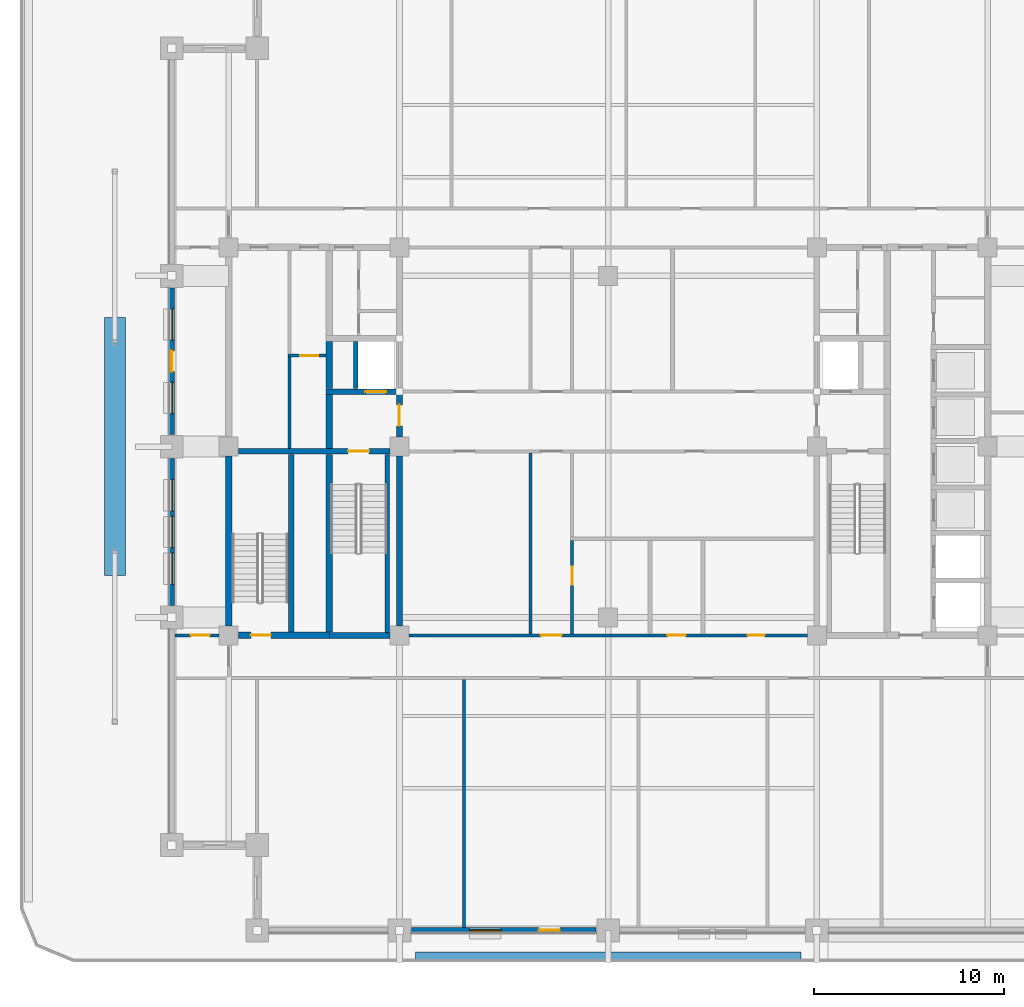
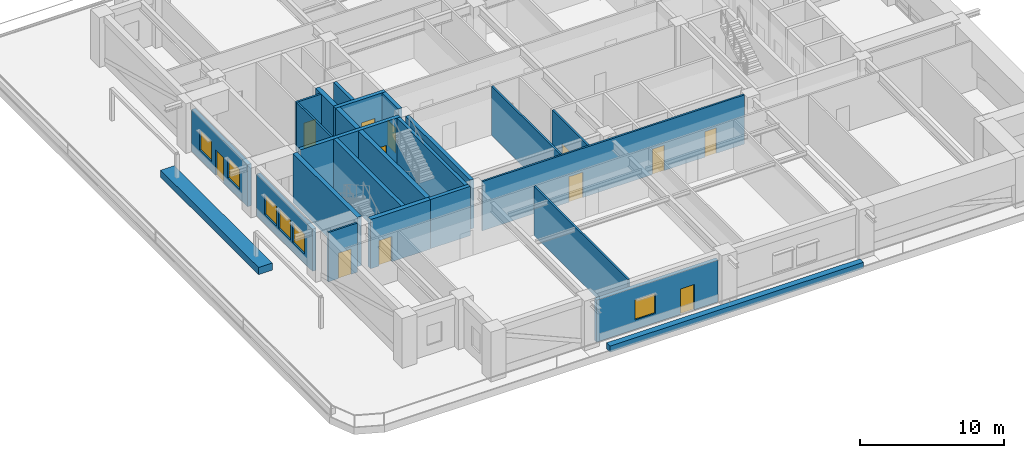
# One storey, part 8 of 21: 25 walls, 12 doors, 6 windows, 18 openings.
"""IFC4 building model written with IfcOpenShell, lengths in metres."""

import ifcopenshell
import ifcopenshell.guid

model = None  # the IFC model being written
_history = None  # IfcOwnerHistory: only IFC2X3 demands one
_inside = {}  # id of a spatial element -> (the spatial element, [elements in it])
_under = {}  # id of a project, library or spatial element -> (it, [spatial elements below it])
_declared = {}  # id of a project -> (the project, [libraries it declares])
_typed = {}  # id of a type object -> (the type object, [elements of that type])
_made_of = {}  # id of a material, layer set ... -> (it, [elements and type objects made of it])


def new_model(schema):
    """Start an empty IFC model of exactly this schema.

    Asked for "IFC4X3", IfcOpenShell would pick the latest addendum, in which some entities
    have other attributes; the version numbers below select the first issue.
    IFC2X3 requires an IfcOwnerHistory on every rooted entity: one is made here for all.
    """
    global model, _history
    if schema == "IFC4X3":
        model = ifcopenshell.file(schema_version=(4, 3, 0, 0))
    else:
        model = ifcopenshell.file(schema=schema)
    _inside.clear()
    _under.clear()
    _declared.clear()
    _typed.clear()
    _made_of.clear()
    _history = None
    if model.schema == "IFC2X3":
        org = make("IfcOrganization", Name="unknown")
        user = make(
            "IfcPersonAndOrganization",
            ThePerson=make("IfcPerson", FamilyName="unknown"),
            TheOrganization=org,
        )
        app = make(
            "IfcApplication",
            ApplicationDeveloper=org,
            Version="unknown",
            ApplicationFullName="unknown",
            ApplicationIdentifier="unknown",
        )
        _history = make(
            "IfcOwnerHistory",
            OwningUser=user,
            OwningApplication=app,
            ChangeAction="ADDED",
            CreationDate=0,
        )
    return model


def make(cls, **values):
    """One entity of the class cls with the attributes given. An attribute that is None is left unset."""
    return model.create_entity(
        cls, **{name: value for name, value in values.items() if value is not None}
    )


def rooted(cls, **values):
    """An entity with a GlobalId (a new one), such as an element, a storey or a relation."""
    return make(cls, GlobalId=ifcopenshell.guid.new(), OwnerHistory=_history, **values)


def si_unit(unit_type, name, prefix=None):
    """IfcSIUnit, for example si_unit("LENGTHUNIT", "METRE", prefix="MILLI")."""
    return make("IfcSIUnit", UnitType=unit_type, Prefix=prefix, Name=name)


def assignment(units):
    """IfcUnitAssignment: the units of a project."""
    return None if units is None else make("IfcUnitAssignment", Units=units)


def point(xyz):
    """IfcCartesianPoint."""
    return None if xyz is None else make("IfcCartesianPoint", Coordinates=xyz)


def direction(xyz):
    """IfcDirection."""
    return None if xyz is None else make("IfcDirection", DirectionRatios=xyz)


def frame(location, z_axis=None, x_axis=None):
    """IfcAxis2Placement3D, a coordinate frame: its origin and axes. An axis left out is left unset."""
    return make(
        "IfcAxis2Placement3D",
        Location=point(location),
        Axis=direction(z_axis),
        RefDirection=direction(x_axis),
    )


def frame_2d(location, x_axis=None):
    """IfcAxis2Placement2D, a coordinate frame in the plane: its origin and x axis."""
    return make(
        "IfcAxis2Placement2D", Location=point(location), RefDirection=direction(x_axis)
    )


def origin():
    """The frame at (0, 0, 0) with its axes left unset."""
    return frame((0.0, 0.0, 0.0))


def place(relative_to, where):
    """IfcLocalPlacement: puts the frame where relative to a parent placement (None: the world)."""
    return make(
        "IfcLocalPlacement", PlacementRelTo=relative_to, RelativePlacement=where
    )


def context(
    kind, dimensions, precision=None, world=None, true_north=None, identifier=None
):
    """IfcGeometricRepresentationContext, for example the 3D "Model" context."""
    return make(
        "IfcGeometricRepresentationContext",
        ContextIdentifier=identifier,
        ContextType=kind,
        CoordinateSpaceDimension=dimensions,
        Precision=precision,
        WorldCoordinateSystem=world,
        TrueNorth=true_north,
    )


def subcontext(parent, identifier, kind, view, scale=None):
    """IfcGeometricRepresentationSubContext, for example "Body" below "Model"."""
    return make(
        "IfcGeometricRepresentationSubContext",
        ContextIdentifier=identifier,
        ContextType=kind,
        ParentContext=parent,
        TargetScale=scale,
        TargetView=view,
    )


def project(units=None, contexts=None):
    """IfcProject with its units and contexts."""
    return rooted(
        "IfcProject",
        Name="project",
        RepresentationContexts=contexts,
        UnitsInContext=assignment(units),
    )


def spatial(cls, under=None, at=None, **own):
    """A site, building, storey or space (cls), placed at a placement, below another one or the project."""
    s = rooted(cls, ObjectPlacement=at, **own)
    if under is not None:
        _under.setdefault(under.id(), (under, []))[1].append(s)
    return s


def profile(cls, at=None, kind="AREA", **sizes):
    """A parametric profile (cls). Its sizes go by their IFC names, for example OverallWidth=200.0."""
    return make(cls, ProfileType=kind, Position=at, **sizes)


def rectangle(**sizes):
    """IfcRectangleProfileDef."""
    return profile("IfcRectangleProfileDef", **sizes)


def extrude(swept, where, along, depth):
    """IfcExtrudedAreaSolid: the profile swept, set in the frame where, extruded along a direction by depth."""
    return make(
        "IfcExtrudedAreaSolid",
        SweptArea=swept,
        Position=where,
        ExtrudedDirection=direction(along),
        Depth=depth,
    )


def shape(context_of_items, identifier, shape_type, items):
    """IfcShapeRepresentation: the items that make up one representation, for example the "Body"."""
    return make(
        "IfcShapeRepresentation",
        ContextOfItems=context_of_items,
        RepresentationIdentifier=identifier,
        RepresentationType=shape_type,
        Items=items,
    )


def material(Name=None, Category=None):
    """IfcMaterial."""
    return make("IfcMaterial", Name=Name, Category=Category)


def layer(
    of_material, thickness, ventilated=None, Name=None, Category=None, Priority=None
):
    """IfcMaterialLayer: one layer of a wall or slab, of a material (None: an air gap)."""
    return make(
        "IfcMaterialLayer",
        Material=of_material,
        LayerThickness=thickness,
        IsVentilated=ventilated,
        Name=Name,
        Category=Category,
        Priority=Priority,
    )


def layer_set(layers, Name=None):
    """IfcMaterialLayerSet."""
    return make("IfcMaterialLayerSet", MaterialLayers=layers, LayerSetName=Name)


def made_of(thing, what):
    """Note that an element or type object is made of a material, layer set ...; save() writes the relation."""
    if what is not None:
        _made_of.setdefault(what.id(), (what, []))[1].append(thing)
    return thing


def type_object(cls, material=None, **own):
    """A type object (cls), such as IfcWallType, which elements share."""
    return made_of(rooted(cls, **own), material)


def element(
    cls,
    number,
    at=None,
    inside=None,
    cuts=None,
    type_object=None,
    material=None,
    context=None,
    identifier="Body",
    shape_type=None,
    held_by="IfcProductDefinitionShape",
    body=None,
    shapes=None,
    **own,
):
    """One element of the class cls, such as IfcWall. Its Tag is "e" and its number.

    at: its placement. inside: the storey or other place that contains it. cuts: it is an
    opening in that element (IfcRelVoidsElement). A single representation is given by context,
    identifier, shape_type and body (its items); several are given by shapes. held_by: the class
    of the entity that holds the representations. save() writes the other relations.
    """
    e = rooted(cls, Tag="e%d" % number, ObjectPlacement=at, **own)
    if body is not None:
        shapes = [shape(context, identifier, shape_type, body)]
    if shapes is not None:
        e.Representation = make(held_by, Representations=shapes)
    if inside is not None:
        _inside.setdefault(inside.id(), (inside, []))[1].append(e)
    if cuts is not None:
        rooted(
            "IfcRelVoidsElement", RelatingBuildingElement=cuts, RelatedOpeningElement=e
        )
    if type_object is not None:
        _typed.setdefault(type_object.id(), (type_object, []))[1].append(e)
    return made_of(e, material)


def fill(opening, filler):
    """IfcRelFillsElement: the door or window that sits in an opening."""
    return rooted(
        "IfcRelFillsElement",
        RelatingOpeningElement=opening,
        RelatedBuildingElement=filler,
    )


def aggregate(whole, parts):
    """IfcRelAggregates: a whole, such as a stair, and the parts it consists of."""
    return rooted("IfcRelAggregates", RelatingObject=whole, RelatedObjects=parts)


def save(model, path):
    """Write the relations noted so far, then the file.

    IfcRelAggregates (storeys below a building ...), IfcRelContainedInSpatialStructure (elements
    in a storey), IfcRelDefinesByType, IfcRelAssociatesMaterial and IfcRelDeclares: one each for
    every whole, place, type object, material and project.
    """
    for whole, parts in _under.values():
        aggregate(whole, parts)
    for where, things in _inside.values():
        rooted(
            "IfcRelContainedInSpatialStructure",
            RelatedElements=things,
            RelatingStructure=where,
        )
    for kind, things in _typed.values():
        rooted("IfcRelDefinesByType", RelatedObjects=things, RelatingType=kind)
    for what, things in _made_of.values():
        rooted("IfcRelAssociatesMaterial", RelatedObjects=things, RelatingMaterial=what)
    for by, libraries in _declared.values():
        rooted("IfcRelDeclares", RelatingContext=by, RelatedDefinitions=libraries)
    model.write(path)


model = new_model("IFC4")

# Units and contexts
model_context = context("Model", 3, precision=1e-05, world=origin(), true_north=direction((0.0, 1.0)))
body_context = subcontext(model_context, "Body", "Model", "MODEL_VIEW")
ifc_project = project(units=[si_unit("LENGTHUNIT", "METRE"), si_unit("AREAUNIT", "SQUARE_METRE"), si_unit("VOLUMEUNIT", "CUBIC_METRE"), si_unit("PLANEANGLEUNIT", "RADIAN"), si_unit("MASSUNIT", "GRAM", prefix="KILO")], contexts=[model_context])

# Site, building, storey
site_placement = place(None, origin())
site = spatial("IfcSite", under=ifc_project, at=site_placement, CompositionType="ELEMENT")
building_placement = place(site_placement, origin())
building = spatial("IfcBuilding", under=site, at=building_placement, Name="Zulmaris Gate Convention Tower", CompositionType="ELEMENT")
storey_placement = place(building_placement, frame((0.0, 0.0, 86.93994140625)))
storey = spatial("IfcBuildingStorey", under=building, at=storey_placement, Name="L21", CompositionType="ELEMENT", Elevation=86.93994140625)

# Walls
ifc_material_1 = material(Name="Concrete C50/60", Category="concrete")
ifc_layer_1 = layer(ifc_material_1, 0.25, Name="Concrete C50/60")
ifc_layer_set_1 = layer_set([ifc_layer_1], Name="Concrete C50/60")
wall_type_1 = type_object("IfcWallType", Name="CORE-250", PredefinedType="SOLIDWALL", material=ifc_layer_set_1)
wall_1_placement = place(storey_placement, frame((-13.300048828125, 3.052001953125, 0.0), z_axis=(0.0, 0.0, 1.0), x_axis=(0.0, 1.0, 0.0)))
element("IfcWall", 1, at=wall_1_placement, inside=storey, type_object=wall_type_1, Name="WL-L21-044", PredefinedType="SOLIDWALL", context=body_context, shape_type="SweptSolid", body=[
    extrude(rectangle(XDim=2.49609375, YDim=0.25, at=frame_2d((1.248046875, 0.0))), origin(), (0.0, 0.0, 1.0), 4.169921875),
])
wall_2_placement = place(storey_placement, frame((-11.64990234375, -9.798095703125, 0.0), z_axis=(0.0, 0.0, 1.0), x_axis=(0.0, 1.0, 0.0)))
element("IfcWall", 2, at=wall_2_placement, inside=storey, type_object=wall_type_1, Name="WL-L21-045", PredefinedType="SOLIDWALL", context=body_context, shape_type="SweptSolid", body=[
    extrude(rectangle(XDim=9.39599609375, YDim=0.25, at=frame_2d((4.697998046875, 0.0))), origin(), (0.0, 0.0, 1.0), 4.169921875),
])
ifc_layer_2 = layer(ifc_material_1, 0.300048828125, Name="Concrete C50/60")
ifc_layer_set_2 = layer_set([ifc_layer_2], Name="Concrete C50/60")
wall_type_2 = type_object("IfcWallType", Name="CORE-300", PredefinedType="SHEAR", material=ifc_layer_set_2)
wall_3_placement = place(storey_placement, frame((-14.699951171875, -9.949951171875, 0.0), z_axis=(0.0, 0.0, 1.0), x_axis=(1.0, 0.0, 0.0)))
element("IfcWall", 3, at=wall_3_placement, inside=storey, type_object=wall_type_2, Name="WL-L21-002", PredefinedType="SHEAR", context=body_context, shape_type="SweptSolid", body=[
    extrude(rectangle(XDim=3.196044921875, YDim=0.300048828125, at=frame_2d((1.59814453125, 0.0))), origin(), (0.0, 0.0, 1.0), 4.169921875),
])

# Wall, opening, door
wall_4_placement = place(storey_placement, frame((-19.49609375, -0.25, 0.0), z_axis=(0.0, 0.0, 1.0), x_axis=(1.0, 0.0, 0.0)))
wall_4 = element("IfcWall", 4, at=wall_4_placement, inside=storey, type_object=wall_type_2, Name="WL-L21-008", PredefinedType="SHEAR", context=body_context, shape_type="SweptSolid", body=[
    extrude(rectangle(XDim=7.9921875, YDim=0.300048828125, at=frame_2d((3.99609375, 0.0))), origin(), (0.0, 0.0, 1.0), 4.169921875),
])
opening_1_placement = place(wall_4_placement, frame((5.7958984375, 0.0, 0.0)))
opening_1 = element("IfcOpeningElement", 5, at=opening_1_placement, cuts=wall_4, Name="Opening D-08", PredefinedType="OPENING", context=body_context, shape_type="SweptSolid", body=[
    extrude(rectangle(XDim=1.10009765625, YDim=2.14990234375, at=frame_2d((0.550048828125, 1.074951171875))), frame((0.0, 0.16015625, 0.0), z_axis=(0.0, -1.0, 0.0), x_axis=(1.0, 0.0, 0.0)), (0.0, 0.0, 1.0), 0.320068359375),
])
ifc_material_2 = material(Name="Fire-Rated Steel", Category="steel")
door_type_1 = type_object("IfcDoorType", Name="DR-1100-FD", OperationType="NOTDEFINED", PredefinedType="DOOR", material=ifc_material_2)
door_1_placement = place(opening_1_placement, origin())
door_1 = element("IfcDoor", 6, at=door_1_placement, inside=storey, type_object=door_type_1, Name="L21 Exit Stair ST-1 Door 01", OperationType="SINGLE_SWING_LEFT", OverallHeight=2.14990234375, OverallWidth=1.10009765625, PredefinedType="DOOR", context=body_context, shape_type="SweptSolid", body=[
    extrude(rectangle(XDim=1.10009765625, YDim=2.14990234375, at=frame_2d((0.550048828125, 1.074951171875))), frame((0.0, 0.02490234375, 0.0), z_axis=(0.0, -1.0, 0.0), x_axis=(1.0, 0.0, 0.0)), (0.0, 0.0, 1.0), 0.050048828125),
])
fill(opening_1, door_1)

wall_5_placement = place(storey_placement, frame((-14.875, 2.89990234375, 0.0), z_axis=(0.0, 0.0, 1.0), x_axis=(1.0, 0.0, 0.0)))
wall_5 = element("IfcWall", 7, at=wall_5_placement, inside=storey, type_object=wall_type_2, Name="WL-L21-012", PredefinedType="SHEAR", context=body_context, shape_type="SweptSolid", body=[
    extrude(rectangle(XDim=4.02490234375, YDim=0.300048828125, at=frame_2d((2.012451171875, 0.0))), origin(), (0.0, 0.0, 1.0), 4.169921875),
])
opening_2_placement = place(wall_5_placement, frame((2.074951171875, 0.0, 0.0)))
opening_2 = element("IfcOpeningElement", 8, at=opening_2_placement, cuts=wall_5, Name="Opening D-06", PredefinedType="OPENING", context=body_context, shape_type="SweptSolid", body=[
    extrude(rectangle(XDim=1.10009765625, YDim=2.199951171875, at=frame_2d((0.550048828125, 1.10009765625))), frame((0.0, 0.16015625, 0.0), z_axis=(0.0, -1.0, 0.0), x_axis=(1.0, 0.0, 0.0)), (0.0, 0.0, 1.0), 0.320068359375),
])
ifc_material_3 = material(Name="Brushed Stainless Steel", Category="steel")
door_type_2 = type_object("IfcDoorType", Name="LD-1100", OperationType="NOTDEFINED", PredefinedType="DOOR", material=ifc_material_3)
door_2_placement = place(opening_2_placement, origin())
door_2 = element("IfcDoor", 9, at=door_2_placement, inside=storey, type_object=door_type_2, Name="L21 Lift Landing Door LF-01 03", OperationType="SLIDING_TO_LEFT", OverallHeight=2.199951171875, OverallWidth=1.10009765625, PredefinedType="DOOR", context=body_context, shape_type="SweptSolid", body=[
    extrude(rectangle(XDim=1.10009765625, YDim=2.199951171875, at=frame_2d((0.550048828125, 1.10009765625))), frame((0.0, 0.02490234375, 0.0), z_axis=(0.0, -1.0, 0.0), x_axis=(1.0, 0.0, 0.0)), (0.0, 0.0, 1.0), 0.050048828125),
])
fill(opening_2, door_2)

# Walls
wall_6_placement = place(storey_placement, frame((-16.699951171875, -9.77294921875, 0.0), z_axis=(0.0, 0.0, 1.0), x_axis=(0.0, 1.0, 0.0)))
element("IfcWall", 10, at=wall_6_placement, inside=storey, type_object=wall_type_2, Name="WL-L21-039", PredefinedType="SHEAR", context=body_context, shape_type="SweptSolid", body=[
    extrude(rectangle(XDim=9.370849609375, YDim=0.300048828125, at=frame_2d((4.685546875, 0.0))), origin(), (0.0, 0.0, 1.0), 4.169921875),
])
wall_7_placement = place(storey_placement, frame((-11.0, -9.446044921875, 0.0), z_axis=(0.0, 0.0, 1.0), x_axis=(0.0, 1.0, 0.0)))
element("IfcWall", 11, at=wall_7_placement, inside=storey, type_object=wall_type_2, Name="WL-L21-046", PredefinedType="SHEAR", context=body_context, shape_type="SweptSolid", body=[
    extrude(rectangle(XDim=8.942138671875, YDim=0.300048828125, at=frame_2d((4.47119140625, 0.0))), origin(), (0.0, 0.0, 1.0), 4.169921875),
])

# Wall, opening, door
wall_8_placement = place(storey_placement, frame((-11.0, 0.50390625, 0.0), z_axis=(0.0, 0.0, 1.0), x_axis=(0.0, 1.0, 0.0)))
wall_8 = element("IfcWall", 12, at=wall_8_placement, inside=storey, type_object=wall_type_2, Name="WL-L21-047", PredefinedType="SHEAR", context=body_context, shape_type="SweptSolid", body=[
    extrude(rectangle(XDim=2.244140625, YDim=0.300048828125, at=frame_2d((1.1220703125, 0.0))), origin(), (0.0, 0.0, 1.0), 4.169921875),
])
opening_3_placement = place(wall_8_placement, frame((0.595947265625, 0.0, 0.0)))
opening_3 = element("IfcOpeningElement", 13, at=opening_3_placement, cuts=wall_8, Name="Opening D-08", PredefinedType="OPENING", context=body_context, shape_type="SweptSolid", body=[
    extrude(rectangle(XDim=1.10009765625, YDim=2.14990234375, at=frame_2d((0.550048828125, 1.074951171875))), frame((0.0, 0.16015625, 0.0), z_axis=(0.0, -1.0, 0.0), x_axis=(1.0, 0.0, 0.0)), (0.0, 0.0, 1.0), 0.320068359375),
])
door_3_placement = place(opening_3_placement, origin())
door_3 = element("IfcDoor", 14, at=door_3_placement, inside=storey, type_object=door_type_1, Name="L21 West Firefighting Lobby Door 02", OperationType="SINGLE_SWING_RIGHT", OverallHeight=2.14990234375, OverallWidth=1.10009765625, PredefinedType="DOOR", context=body_context, shape_type="SweptSolid", body=[
    extrude(rectangle(XDim=1.10009765625, YDim=2.14990234375, at=frame_2d((0.550048828125, 1.074951171875))), frame((0.0, 0.02490234375, 0.0), z_axis=(0.0, -1.0, 0.0), x_axis=(1.0, 0.0, 0.0)), (0.0, 0.0, 1.0), 0.050048828125),
])
fill(opening_3, door_3)

ifc_material_4 = material(Name="Concrete C55/67", Category="concrete")
ifc_layer_3 = layer(ifc_material_4, 0.35009765625, Name="Concrete C55/67")
ifc_layer_set_3 = layer_set([ifc_layer_3], Name="Concrete C55/67")
wall_type_3 = type_object("IfcWallType", Name="CORE-350", PredefinedType="SHEAR", material=ifc_layer_set_3)
wall_9_placement = place(storey_placement, frame((-19.49609375, -9.949951171875, 0.0), z_axis=(0.0, 0.0, 1.0), x_axis=(1.0, 0.0, 0.0)))
wall_9 = element("IfcWall", 15, at=wall_9_placement, inside=storey, type_object=wall_type_3, Name="WL-L21-001", PredefinedType="SHEAR", context=body_context, shape_type="SweptSolid", body=[
    extrude(rectangle(XDim=4.796142578125, YDim=0.35009765625, at=frame_2d((2.39794921875, 0.0))), origin(), (0.0, 0.0, 1.0), 4.169921875),
])
opening_4_placement = place(wall_9_placement, frame((0.6708984375, 0.0, 0.0)))
opening_4 = element("IfcOpeningElement", 16, at=opening_4_placement, cuts=wall_9, Name="Opening D-09", PredefinedType="OPENING", context=body_context, shape_type="SweptSolid", body=[
    extrude(rectangle(XDim=1.050048828125, YDim=2.14990234375, at=frame_2d((0.52490234375, 1.074951171875))), frame((0.0, 0.18505859375, 0.0), z_axis=(0.0, -1.0, 0.0), x_axis=(1.0, 0.0, 0.0)), (0.0, 0.0, 1.0), 0.3701171875),
])
door_type_3 = type_object("IfcDoorType", Name="DR-1050-FD", OperationType="NOTDEFINED", PredefinedType="DOOR", material=ifc_material_2)
door_4_placement = place(opening_4_placement, origin())
door_4 = element("IfcDoor", 17, at=door_4_placement, inside=storey, type_object=door_type_3, Name="L21 Exit Stair ST-3 Door 13", OperationType="SINGLE_SWING_LEFT", OverallHeight=2.14990234375, OverallWidth=1.050048828125, PredefinedType="DOOR", context=body_context, shape_type="SweptSolid", body=[
    extrude(rectangle(XDim=1.050048828125, YDim=2.14990234375, at=frame_2d((0.52490234375, 1.074951171875))), frame((0.0, 0.02490234375, 0.0), z_axis=(0.0, -1.0, 0.0), x_axis=(1.0, 0.0, 0.0)), (0.0, 0.0, 1.0), 0.050048828125),
])
fill(opening_4, door_4)

# Walls
wall_10_placement = place(storey_placement, frame((-20.0, -9.446044921875, 0.0), z_axis=(0.0, 0.0, 1.0), x_axis=(0.0, 1.0, 0.0)))
element("IfcWall", 18, at=wall_10_placement, inside=storey, type_object=wall_type_3, Name="WL-L21-037", PredefinedType="SHEAR", context=body_context, shape_type="SweptSolid", body=[
    extrude(rectangle(XDim=8.942138671875, YDim=0.35009765625, at=frame_2d((4.47119140625, 0.0))), origin(), (0.0, 0.0, 1.0), 4.169921875),
])
wall_11_placement = place(storey_placement, frame((-14.699951171875, -9.77294921875, 0.0), z_axis=(0.0, 0.0, 1.0), x_axis=(0.0, 1.0, 0.0)))
element("IfcWall", 19, at=wall_11_placement, inside=storey, type_object=wall_type_3, Name="WL-L21-040", PredefinedType="SHEAR", context=body_context, shape_type="SweptSolid", body=[
    extrude(rectangle(XDim=9.370849609375, YDim=0.35009765625, at=frame_2d((4.685546875, 0.0))), origin(), (0.0, 0.0, 1.0), 4.169921875),
])
wall_12_placement = place(storey_placement, frame((-14.699951171875, -0.097900390625, 0.0), z_axis=(0.0, 0.0, 1.0), x_axis=(0.0, 1.0, 0.0)))
element("IfcWall", 20, at=wall_12_placement, inside=storey, type_object=wall_type_3, Name="WL-L21-041", PredefinedType="SHEAR", context=body_context, shape_type="SweptSolid", body=[
    extrude(rectangle(XDim=2.845947265625, YDim=0.35009765625, at=frame_2d((1.4228515625, 0.0))), origin(), (0.0, 0.0, 1.0), 4.169921875),
])
wall_13_placement = place(storey_placement, frame((-14.699951171875, 3.052001953125, 0.0), z_axis=(0.0, 0.0, 1.0), x_axis=(0.0, 1.0, 0.0)))
element("IfcWall", 21, at=wall_13_placement, inside=storey, type_object=wall_type_3, Name="WL-L21-042", PredefinedType="SHEAR", context=body_context, shape_type="SweptSolid", body=[
    extrude(rectangle(XDim=2.49609375, YDim=0.35009765625, at=frame_2d((1.248046875, 0.0))), origin(), (0.0, 0.0, 1.0), 4.169921875),
])

# Wall, opening, door
ifc_material_5 = material(Name="Gypsum Metal Stud Partition")
ifc_layer_4 = layer(ifc_material_5, 0.14990234375, Name="Gypsum Metal Stud Partition")
ifc_layer_set_4 = layer_set([ifc_layer_4], Name="Gypsum Metal Stud Partition")
wall_type_4 = type_object("IfcWallType", Name="PART-150", PredefinedType="PARTITIONING", material=ifc_layer_set_4)
wall_14_placement = place(storey_placement, frame((-22.8349609375, -9.949951171875, 0.0), z_axis=(0.0, 0.0, 1.0), x_axis=(1.0, 0.0, 0.0)))
wall_14 = element("IfcWall", 22, at=wall_14_placement, inside=storey, type_object=wall_type_4, Name="WL-L21-022", PredefinedType="PARTITIONING", context=body_context, shape_type="SweptSolid", body=[
    extrude(rectangle(XDim=2.328857421875, YDim=0.14990234375, at=frame_2d((1.16455078125, 0.0))), origin(), (0.0, 0.0, 1.0), 4.169921875),
])
opening_5_placement = place(wall_14_placement, frame((0.8349609375, 0.0, 0.0)))
opening_5 = element("IfcOpeningElement", 23, at=opening_5_placement, cuts=wall_14, Name="Opening D-10", PredefinedType="OPENING", context=body_context, shape_type="SweptSolid", body=[
    extrude(rectangle(XDim=1.0, YDim=2.14990234375, at=frame_2d((0.5, 1.074951171875))), frame((0.0, 0.0849609375, 0.0), z_axis=(0.0, -1.0, 0.0), x_axis=(1.0, 0.0, 0.0)), (0.0, 0.0, 1.0), 0.169921875),
])
ifc_material_6 = material(Name="Fire-Rated Timber", Category="wood")
door_type_4 = type_object("IfcDoorType", Name="DR-1000-FD", OperationType="NOTDEFINED", PredefinedType="DOOR", material=ifc_material_6)
door_5_placement = place(opening_5_placement, origin())
door_5 = element("IfcDoor", 24, at=door_5_placement, inside=storey, type_object=door_type_4, Name="L21 West Workplace South Door 52", OperationType="SINGLE_SWING_RIGHT", OverallHeight=2.14990234375, OverallWidth=1.0, PredefinedType="DOOR", context=body_context, shape_type="SweptSolid", body=[
    extrude(rectangle(XDim=1.0, YDim=2.14990234375, at=frame_2d((0.5, 1.074951171875))), frame((0.0, 0.02490234375, 0.0), z_axis=(0.0, -1.0, 0.0), x_axis=(1.0, 0.0, 0.0)), (0.0, 0.0, 1.0), 0.050048828125),
])
fill(opening_5, door_5)

# Wall, openings, doors
wall_15_placement = place(storey_placement, frame((-10.493896484375, -9.949951171875, 0.0), z_axis=(0.0, 0.0, 1.0), x_axis=(1.0, 0.0, 0.0)))
wall_15 = element("IfcWall", 25, at=wall_15_placement, inside=storey, type_object=wall_type_4, Name="WL-L21-023", PredefinedType="PARTITIONING", context=body_context, shape_type="SweptSolid", body=[
    extrude(rectangle(XDim=20.98779296875, YDim=0.14990234375, at=frame_2d((10.493896484375, 0.0))), origin(), (0.0, 0.0, 1.0), 4.169921875),
])
opening_6_placement = place(wall_15_placement, frame((6.944091796875, 0.0, 0.0)))
opening_6 = element("IfcOpeningElement", 26, at=opening_6_placement, cuts=wall_15, Name="Opening D-08", PredefinedType="OPENING", context=body_context, shape_type="SweptSolid", body=[
    extrude(rectangle(XDim=1.10009765625, YDim=2.14990234375, at=frame_2d((0.550048828125, 1.074951171875))), frame((0.0, 0.0849609375, 0.0), z_axis=(0.0, -1.0, 0.0), x_axis=(1.0, 0.0, 0.0)), (0.0, 0.0, 1.0), 0.169921875),
])
opening_7_placement = place(wall_15_placement, frame((13.618896484375, 0.0, 0.0)))
opening_7 = element("IfcOpeningElement", 27, at=opening_7_placement, cuts=wall_15, Name="Opening D-11", PredefinedType="OPENING", context=body_context, shape_type="SweptSolid", body=[
    extrude(rectangle(XDim=0.949951171875, YDim=2.14990234375, at=frame_2d((0.47509765625, 1.074951171875))), frame((0.0, 0.0849609375, 0.0), z_axis=(0.0, -1.0, 0.0), x_axis=(1.0, 0.0, 0.0)), (0.0, 0.0, 1.0), 0.169921875),
])
opening_8_placement = place(wall_15_placement, frame((17.843994140625, 0.0, 0.0)))
opening_8 = element("IfcOpeningElement", 28, at=opening_8_placement, cuts=wall_15, Name="Opening D-12", PredefinedType="OPENING", context=body_context, shape_type="SweptSolid", body=[
    extrude(rectangle(XDim=0.89990234375, YDim=2.14990234375, at=frame_2d((0.449951171875, 1.074951171875))), frame((0.0, 0.0849609375, 0.0), z_axis=(0.0, -1.0, 0.0), x_axis=(1.0, 0.0, 0.0)), (0.0, 0.0, 1.0), 0.169921875),
])
door_6_placement = place(opening_6_placement, origin())
door_6 = element("IfcDoor", 29, at=door_6_placement, inside=storey, type_object=door_type_1, Name="L21 South Gallery Link Door 28", OperationType="SINGLE_SWING_RIGHT", OverallHeight=2.14990234375, OverallWidth=1.10009765625, PredefinedType="DOOR", context=body_context, shape_type="SweptSolid", body=[
    extrude(rectangle(XDim=1.10009765625, YDim=2.14990234375, at=frame_2d((0.550048828125, 1.074951171875))), frame((0.0, 0.02490234375, 0.0), z_axis=(0.0, -1.0, 0.0), x_axis=(1.0, 0.0, 0.0)), (0.0, 0.0, 1.0), 0.050048828125),
])
fill(opening_6, door_6)
door_type_5 = type_object("IfcDoorType", Name="DR-900-FD", OperationType="NOTDEFINED", PredefinedType="DOOR", material=ifc_material_6)
door_7_placement = place(opening_8_placement, origin())
door_7 = element("IfcDoor", 30, at=door_7_placement, inside=storey, type_object=door_type_5, Name="L21 Reprographics Office Door 48", OperationType="SINGLE_SWING_RIGHT", OverallHeight=2.14990234375, OverallWidth=0.89990234375, PredefinedType="DOOR", context=body_context, shape_type="SweptSolid", body=[
    extrude(rectangle(XDim=0.89990234375, YDim=2.14990234375, at=frame_2d((0.449951171875, 1.074951171875))), frame((0.0, 0.02490234375, 0.0), z_axis=(0.0, -1.0, 0.0), x_axis=(1.0, 0.0, 0.0)), (0.0, 0.0, 1.0), 0.050048828125),
])
fill(opening_8, door_7)
door_type_6 = type_object("IfcDoorType", Name="DR-950-FD", OperationType="NOTDEFINED", PredefinedType="DOOR", material=ifc_material_6)
door_8_placement = place(opening_7_placement, origin())
door_8 = element("IfcDoor", 31, at=door_8_placement, inside=storey, type_object=door_type_6, Name="L21 Accessible WC Door 47", OperationType="SINGLE_SWING_LEFT", OverallHeight=2.14990234375, OverallWidth=0.949951171875, PredefinedType="DOOR", context=body_context, shape_type="SweptSolid", body=[
    extrude(rectangle(XDim=0.949951171875, YDim=2.14990234375, at=frame_2d((0.47509765625, 1.074951171875))), frame((0.0, 0.02490234375, 0.0), z_axis=(0.0, -1.0, 0.0), x_axis=(1.0, 0.0, 0.0)), (0.0, 0.0, 1.0), 0.050048828125),
])
fill(opening_7, door_8)

# Wall, opening, door
wall_16_placement = place(storey_placement, frame((-16.875, 4.800048828125, 0.0), z_axis=(0.0, 0.0, 1.0), x_axis=(1.0, 0.0, 0.0)))
wall_16 = element("IfcWall", 32, at=wall_16_placement, inside=storey, type_object=wall_type_4, Name="WL-L21-029", PredefinedType="PARTITIONING", context=body_context, shape_type="SweptSolid", body=[
    extrude(rectangle(XDim=1.9970703125, YDim=0.14990234375, at=frame_2d((0.99853515625, 0.0))), origin(), (0.0, 0.0, 1.0), 4.169921875),
])
opening_9_placement = place(wall_16_placement, frame((0.64990234375, 0.0, 0.0)))
opening_9 = element("IfcOpeningElement", 33, at=opening_9_placement, cuts=wall_16, Name="Opening D-11", PredefinedType="OPENING", context=body_context, shape_type="SweptSolid", body=[
    extrude(rectangle(XDim=0.949951171875, YDim=2.14990234375, at=frame_2d((0.47509765625, 1.074951171875))), frame((0.0, 0.0849609375, 0.0), z_axis=(0.0, -1.0, 0.0), x_axis=(1.0, 0.0, 0.0)), (0.0, 0.0, 1.0), 0.169921875),
])
door_9_placement = place(opening_9_placement, origin())
door_9 = element("IfcDoor", 34, at=door_9_placement, inside=storey, type_object=door_type_6, Name="L21 Cleaners Closet Door 16", OperationType="SINGLE_SWING_RIGHT", OverallHeight=2.14990234375, OverallWidth=0.949951171875, PredefinedType="DOOR", context=body_context, shape_type="SweptSolid", body=[
    extrude(rectangle(XDim=0.949951171875, YDim=2.14990234375, at=frame_2d((0.47509765625, 1.074951171875))), frame((0.0, 0.02490234375, 0.0), z_axis=(0.0, -1.0, 0.0), x_axis=(1.0, 0.0, 0.0)), (0.0, 0.0, 1.0), 0.050048828125),
])
fill(opening_9, door_9)

# Walls
wall_17_placement = place(storey_placement, frame((-16.800048828125, -0.096923828125, 0.0), z_axis=(0.0, 0.0, 1.0), x_axis=(0.0, 1.0, 0.0)))
element("IfcWall", 35, at=wall_17_placement, inside=storey, type_object=wall_type_4, Name="WL-L21-077", PredefinedType="PARTITIONING", context=body_context, shape_type="SweptSolid", body=[
    extrude(rectangle(XDim=4.81884765625, YDim=0.14990234375, at=frame_2d((2.409423828125, 0.0))), origin(), (0.0, 0.0, 1.0), 4.169921875),
])
wall_18_placement = place(storey_placement, frame((-7.60009765625, -25.3349609375, 0.0), z_axis=(0.0, 0.0, 1.0), x_axis=(0.0, 1.0, 0.0)))
element("IfcWall", 36, at=wall_18_placement, inside=storey, type_object=wall_type_4, Name="WL-L21-082", PredefinedType="PARTITIONING", context=body_context, shape_type="SweptSolid", body=[
    extrude(rectangle(XDim=13.056884765625, YDim=0.14990234375, at=frame_2d((6.5283203125, 0.0))), origin(), (0.0, 0.0, 1.0), 4.169921875),
])
wall_19_placement = place(storey_placement, frame((-4.10009765625, -9.8720703125, 0.0), z_axis=(0.0, 0.0, 1.0), x_axis=(0.0, 1.0, 0.0)))
element("IfcWall", 37, at=wall_19_placement, inside=storey, type_object=wall_type_4, Name="WL-L21-083", PredefinedType="PARTITIONING", context=body_context, shape_type="SweptSolid", body=[
    extrude(rectangle(XDim=9.544189453125, YDim=0.14990234375, at=frame_2d((4.77197265625, 0.0))), origin(), (0.0, 0.0, 1.0), 4.169921875),
])

# Wall, opening, door
wall_20_placement = place(storey_placement, frame((-1.89990234375, -9.8720703125, 0.0), z_axis=(0.0, 0.0, 1.0), x_axis=(0.0, 1.0, 0.0)))
wall_20 = element("IfcWall", 38, at=wall_20_placement, inside=storey, type_object=wall_type_4, Name="WL-L21-085", PredefinedType="PARTITIONING", context=body_context, shape_type="SweptSolid", body=[
    extrude(rectangle(XDim=4.919189453125, YDim=0.14990234375, at=frame_2d((2.45947265625, 0.0))), origin(), (0.0, 0.0, 1.0), 4.169921875),
])
opening_10_placement = place(wall_20_placement, frame((2.596923828125, 0.0, 0.0)))
opening_10 = element("IfcOpeningElement", 39, at=opening_10_placement, cuts=wall_20, Name="Opening D-11", PredefinedType="OPENING", context=body_context, shape_type="SweptSolid", body=[
    extrude(rectangle(XDim=0.949951171875, YDim=2.14990234375, at=frame_2d((0.47509765625, 1.074951171875))), frame((0.0, 0.0849609375, 0.0), z_axis=(0.0, -1.0, 0.0), x_axis=(1.0, 0.0, 0.0)), (0.0, 0.0, 1.0), 0.169921875),
])
door_10_placement = place(opening_10_placement, origin())
door_10 = element("IfcDoor", 40, at=door_10_placement, inside=storey, type_object=door_type_6, Name="L21 Hygiene Supply Door 46", OperationType="SINGLE_SWING_RIGHT", OverallHeight=2.14990234375, OverallWidth=0.949951171875, PredefinedType="DOOR", context=body_context, shape_type="SweptSolid", body=[
    extrude(rectangle(XDim=0.949951171875, YDim=2.14990234375, at=frame_2d((0.47509765625, 1.074951171875))), frame((0.0, 0.02490234375, 0.0), z_axis=(0.0, -1.0, 0.0), x_axis=(1.0, 0.0, 0.0)), (0.0, 0.0, 1.0), 0.050048828125),
])
fill(opening_10, door_10)

# Walls
ifc_material_7 = material(Name="Botanical Green Glazed Precast Concrete C40/50", Category="concrete")
ifc_layer_5 = layer(ifc_material_7, 0.419921875, Name="Botanical Green Glazed Precast Concrete C40/50")
ifc_layer_set_5 = layer_set([ifc_layer_5], Name="Botanical Green Glazed Precast Concrete C40/50")
wall_type_5 = type_object("IfcWallType", Name="PLANTER-CURB-200", PredefinedType="PARAPET", material=ifc_layer_set_5)
wall_21_placement = place(storey_placement, frame((-10.14990234375, -26.8798828125, -0.0400390625), z_axis=(0.0, 0.0, 1.0), x_axis=(1.0, 0.0, 0.0)))
element("IfcWall", 41, at=wall_21_placement, inside=storey, type_object=wall_type_5, Name="L21 Full-Length Balcony Tree Planter Trough", PredefinedType="PARAPET", context=body_context, shape_type="SweptSolid", body=[
    extrude(rectangle(XDim=20.2998046875, YDim=0.47998046875, at=frame_2d((10.14990234375, 0.0))), origin(), (0.0, 0.0, 1.0), 0.52001953125),
])
wall_22_placement = place(storey_placement, frame((-26.0, -6.800048828125, -0.0400390625), z_axis=(0.0, 0.0, 1.0), x_axis=(0.0, 1.0, 0.0)))
element("IfcWall", 42, at=wall_22_placement, inside=storey, type_object=wall_type_5, Name="L21 Block-End Terrace Tree Planter Bed", PredefinedType="PARAPET", context=body_context, shape_type="SweptSolid", body=[
    extrude(rectangle(XDim=13.60009765625, YDim=1.10009765625, at=frame_2d((6.800048828125, 0.0))), origin(), (0.0, 0.0, 1.0), 0.60009765625),
])

# Wall, openings, door, window
ifc_material_8 = material(Name="Precast concrete C40/50", Category="concrete")
ifc_layer_6 = layer(ifc_material_8, 0.300048828125, Name="Precast concrete C40/50")
ifc_layer_set_6 = layer_set([ifc_layer_6], Name="Precast concrete C40/50")
wall_type_6 = type_object("IfcWallType", Name="PRECAST-PIER-300", PredefinedType="STANDARD", material=ifc_layer_set_6)
wall_23_placement = place(storey_placement, frame((-10.3701171875, -25.5, 0.0), z_axis=(0.0, 0.0, 1.0), x_axis=(1.0, 0.0, 0.0)))
wall_23 = element("IfcWall", 43, at=wall_23_placement, inside=storey, type_object=wall_type_6, Name="EW-L21-S-1_0", PredefinedType="STANDARD", context=body_context, shape_type="SweptSolid", body=[
    extrude(rectangle(XDim=9.740234375, YDim=0.300048828125, at=frame_2d((4.8701171875, 0.0))), origin(), (0.0, 0.0, 1.0), 3.56201171875),
])
opening_11_placement = place(wall_23_placement, frame((6.722900390625, 0.0, 0.0)))
opening_11 = element("IfcOpeningElement", 44, at=opening_11_placement, cuts=wall_23, Name="Opening D-04", PredefinedType="OPENING", context=body_context, shape_type="SweptSolid", body=[
    extrude(rectangle(XDim=1.10009765625, YDim=2.14990234375, at=frame_2d((0.550048828125, 1.074951171875))), frame((0.0, 0.16015625, 0.0), z_axis=(0.0, -1.0, 0.0), x_axis=(1.0, 0.0, 0.0)), (0.0, 0.0, 1.0), 0.320068359375),
])
opening_12_placement = place(wall_23_placement, frame((3.071044921875, 0.0, 0.800048828125)))
opening_12 = element("IfcOpeningElement", 45, at=opening_12_placement, cuts=wall_23, Name="Opening W-08", PredefinedType="OPENING", context=body_context, shape_type="SweptSolid", body=[
    extrude(rectangle(XDim=1.64990234375, YDim=1.699951171875, at=frame_2d((0.824951171875, 0.85009765625))), frame((0.0, 0.16015625, 0.0), z_axis=(0.0, -1.0, 0.0), x_axis=(1.0, 0.0, 0.0)), (0.0, 0.0, 1.0), 0.320068359375),
])
ifc_material_9 = material(Name="Anodised Aluminium and Laminated Glass", Category="aluminium")
door_type_7 = type_object("IfcDoorType", Name="ED-1100", OperationType="SINGLE_SWING_RIGHT", PredefinedType="DOOR", material=ifc_material_9)
door_11_placement = place(opening_11_placement, origin())
door_11 = element("IfcDoor", 46, at=door_11_placement, inside=storey, type_object=door_type_7, Name="L21 S Planted Terrace Door", OperationType="SINGLE_SWING_RIGHT", OverallHeight=2.14990234375, OverallWidth=1.10009765625, PredefinedType="DOOR", context=body_context, shape_type="SweptSolid", body=[
    extrude(rectangle(XDim=1.10009765625, YDim=2.14990234375, at=frame_2d((0.550048828125, 1.074951171875))), frame((0.0, 0.02490234375, 0.0), z_axis=(0.0, -1.0, 0.0), x_axis=(1.0, 0.0, 0.0)), (0.0, 0.0, 1.0), 0.050048828125),
])
fill(opening_11, door_11)
ifc_material_10 = material(Name="Low-E Laminated Double Glazing in Aluminium Frame", Category="aluminium")
window_type = type_object("IfcWindowType", Name="WIN-1650x2150", PartitioningType="SINGLE_PANEL", PredefinedType="WINDOW", material=ifc_material_10)
window_1_placement = place(opening_12_placement, origin())
window_1 = element("IfcWindow", 47, at=window_1_placement, inside=storey, type_object=window_type, Name="WN-EW-L21-S-1_0-2", OverallHeight=1.699951171875, OverallWidth=1.64990234375, PartitioningType="SINGLE_PANEL", PredefinedType="WINDOW", context=body_context, shape_type="SweptSolid", body=[
    extrude(rectangle(XDim=1.64990234375, YDim=1.699951171875, at=frame_2d((0.824951171875, 0.85009765625))), frame((0.0, 0.030029296875, 0.0), z_axis=(0.0, -1.0, 0.0), x_axis=(1.0, 0.0, 0.0)), (0.0, 0.0, 1.0), 0.06005859375),
])
fill(opening_12, window_1)

# Wall, openings, windows
wall_24_placement = place(storey_placement, frame((-23.0, -0.6298828125, 0.0), z_axis=(0.0, 0.0, 1.0), x_axis=(0.0, -1.0, 0.0)))
wall_24 = element("IfcWall", 48, at=wall_24_placement, inside=storey, type_object=wall_type_6, Name="EW-L21-W-1_0", PredefinedType="STANDARD", context=body_context, shape_type="SweptSolid", body=[
    extrude(rectangle(XDim=7.740234375, YDim=0.300048828125, at=frame_2d((3.8701171875, 0.0))), origin(), (0.0, 0.0, 1.0), 3.56201171875),
])
opening_13_placement = place(wall_24_placement, frame((1.110107421875, 0.0, 0.800048828125)))
opening_13 = element("IfcOpeningElement", 49, at=opening_13_placement, cuts=wall_24, Name="Opening W-08", PredefinedType="OPENING", context=body_context, shape_type="SweptSolid", body=[
    extrude(rectangle(XDim=1.64990234375, YDim=1.699951171875, at=frame_2d((0.824951171875, 0.85009765625))), frame((0.0, 0.16015625, 0.0), z_axis=(0.0, -1.0, 0.0), x_axis=(1.0, 0.0, 0.0)), (0.0, 0.0, 1.0), 0.320068359375),
])
opening_14_placement = place(wall_24_placement, frame((3.044921875, 0.0, 0.800048828125)))
opening_14 = element("IfcOpeningElement", 50, at=opening_14_placement, cuts=wall_24, Name="Opening W-08", PredefinedType="OPENING", context=body_context, shape_type="SweptSolid", body=[
    extrude(rectangle(XDim=1.64990234375, YDim=1.699951171875, at=frame_2d((0.824951171875, 0.85009765625))), frame((0.0, 0.16015625, 0.0), z_axis=(0.0, -1.0, 0.0), x_axis=(1.0, 0.0, 0.0)), (0.0, 0.0, 1.0), 0.320068359375),
])
opening_15_placement = place(wall_24_placement, frame((4.97998046875, 0.0, 0.800048828125)))
opening_15 = element("IfcOpeningElement", 51, at=opening_15_placement, cuts=wall_24, Name="Opening W-08", PredefinedType="OPENING", context=body_context, shape_type="SweptSolid", body=[
    extrude(rectangle(XDim=1.64990234375, YDim=1.699951171875, at=frame_2d((0.824951171875, 0.85009765625))), frame((0.0, 0.16015625, 0.0), z_axis=(0.0, -1.0, 0.0), x_axis=(1.0, 0.0, 0.0)), (0.0, 0.0, 1.0), 0.320068359375),
])
window_2_placement = place(opening_13_placement, origin())
window_2 = element("IfcWindow", 52, at=window_2_placement, inside=storey, type_object=window_type, Name="WN-EW-L21-W-1_0-1", OverallHeight=1.699951171875, OverallWidth=1.64990234375, PartitioningType="SINGLE_PANEL", PredefinedType="WINDOW", context=body_context, shape_type="SweptSolid", body=[
    extrude(rectangle(XDim=1.64990234375, YDim=1.699951171875, at=frame_2d((0.824951171875, 0.85009765625))), frame((0.0, 0.030029296875, 0.0), z_axis=(0.0, -1.0, 0.0), x_axis=(1.0, 0.0, 0.0)), (0.0, 0.0, 1.0), 0.06005859375),
])
fill(opening_13, window_2)
window_3_placement = place(opening_14_placement, origin())
window_3 = element("IfcWindow", 53, at=window_3_placement, inside=storey, type_object=window_type, Name="WN-EW-L21-W-1_0-2", OverallHeight=1.699951171875, OverallWidth=1.64990234375, PartitioningType="SINGLE_PANEL", PredefinedType="WINDOW", context=body_context, shape_type="SweptSolid", body=[
    extrude(rectangle(XDim=1.64990234375, YDim=1.699951171875, at=frame_2d((0.824951171875, 0.85009765625))), frame((0.0, 0.030029296875, 0.0), z_axis=(0.0, -1.0, 0.0), x_axis=(1.0, 0.0, 0.0)), (0.0, 0.0, 1.0), 0.06005859375),
])
fill(opening_14, window_3)
window_4_placement = place(opening_15_placement, origin())
window_4 = element("IfcWindow", 54, at=window_4_placement, inside=storey, type_object=window_type, Name="WN-EW-L21-W-1_0-3", OverallHeight=1.699951171875, OverallWidth=1.64990234375, PartitioningType="SINGLE_PANEL", PredefinedType="WINDOW", context=body_context, shape_type="SweptSolid", body=[
    extrude(rectangle(XDim=1.64990234375, YDim=1.699951171875, at=frame_2d((0.824951171875, 0.85009765625))), frame((0.0, 0.030029296875, 0.0), z_axis=(0.0, -1.0, 0.0), x_axis=(1.0, 0.0, 0.0)), (0.0, 0.0, 1.0), 0.06005859375),
])
fill(opening_15, window_4)

# Wall, openings, door, windows
wall_25_placement = place(storey_placement, frame((-23.0, 8.3701171875, 0.0), z_axis=(0.0, 0.0, 1.0), x_axis=(0.0, -1.0, 0.0)))
wall_25 = element("IfcWall", 55, at=wall_25_placement, inside=storey, type_object=wall_type_6, Name="EW-L21-W-2_0", PredefinedType="STANDARD", context=body_context, shape_type="SweptSolid", body=[
    extrude(rectangle(XDim=7.740234375, YDim=0.300048828125, at=frame_2d((3.8701171875, 0.0))), origin(), (0.0, 0.0, 1.0), 3.56201171875),
])
opening_16_placement = place(wall_25_placement, frame((3.320068359375, 0.0, 0.0)))
opening_16 = element("IfcOpeningElement", 56, at=opening_16_placement, cuts=wall_25, Name="Opening D-04", PredefinedType="OPENING", context=body_context, shape_type="SweptSolid", body=[
    extrude(rectangle(XDim=1.10009765625, YDim=2.14990234375, at=frame_2d((0.550048828125, 1.074951171875))), frame((0.0, 0.16015625, 0.0), z_axis=(0.0, -1.0, 0.0), x_axis=(1.0, 0.0, 0.0)), (0.0, 0.0, 1.0), 0.320068359375),
])
opening_17_placement = place(wall_25_placement, frame((1.110107421875, 0.0, 0.800048828125)))
opening_17 = element("IfcOpeningElement", 57, at=opening_17_placement, cuts=wall_25, Name="Opening W-08", PredefinedType="OPENING", context=body_context, shape_type="SweptSolid", body=[
    extrude(rectangle(XDim=1.64990234375, YDim=1.699951171875, at=frame_2d((0.824951171875, 0.85009765625))), frame((0.0, 0.16015625, 0.0), z_axis=(0.0, -1.0, 0.0), x_axis=(1.0, 0.0, 0.0)), (0.0, 0.0, 1.0), 0.320068359375),
])
opening_18_placement = place(wall_25_placement, frame((4.97998046875, 0.0, 0.800048828125)))
opening_18 = element("IfcOpeningElement", 58, at=opening_18_placement, cuts=wall_25, Name="Opening W-08", PredefinedType="OPENING", context=body_context, shape_type="SweptSolid", body=[
    extrude(rectangle(XDim=1.64990234375, YDim=1.699951171875, at=frame_2d((0.824951171875, 0.85009765625))), frame((0.0, 0.16015625, 0.0), z_axis=(0.0, -1.0, 0.0), x_axis=(1.0, 0.0, 0.0)), (0.0, 0.0, 1.0), 0.320068359375),
])
door_12_placement = place(opening_16_placement, origin())
door_12 = element("IfcDoor", 59, at=door_12_placement, inside=storey, type_object=door_type_7, Name="L21 Block-End Planted Roof Terrace Door", OperationType="SINGLE_SWING_LEFT", OverallHeight=2.14990234375, OverallWidth=1.10009765625, PredefinedType="DOOR", context=body_context, shape_type="SweptSolid", body=[
    extrude(rectangle(XDim=1.10009765625, YDim=2.14990234375, at=frame_2d((0.550048828125, 1.074951171875))), frame((0.0, 0.02490234375, 0.0), z_axis=(0.0, -1.0, 0.0), x_axis=(1.0, 0.0, 0.0)), (0.0, 0.0, 1.0), 0.050048828125),
])
fill(opening_16, door_12)
window_5_placement = place(opening_17_placement, origin())
window_5 = element("IfcWindow", 60, at=window_5_placement, inside=storey, type_object=window_type, Name="WN-EW-L21-W-2_0-1", OverallHeight=1.699951171875, OverallWidth=1.64990234375, PartitioningType="SINGLE_PANEL", PredefinedType="WINDOW", context=body_context, shape_type="SweptSolid", body=[
    extrude(rectangle(XDim=1.64990234375, YDim=1.699951171875, at=frame_2d((0.824951171875, 0.85009765625))), frame((0.0, 0.030029296875, 0.0), z_axis=(0.0, -1.0, 0.0), x_axis=(1.0, 0.0, 0.0)), (0.0, 0.0, 1.0), 0.06005859375),
])
fill(opening_17, window_5)
window_6_placement = place(opening_18_placement, origin())
window_6 = element("IfcWindow", 61, at=window_6_placement, inside=storey, type_object=window_type, Name="WN-EW-L21-W-2_0-3", OverallHeight=1.699951171875, OverallWidth=1.64990234375, PartitioningType="SINGLE_PANEL", PredefinedType="WINDOW", context=body_context, shape_type="SweptSolid", body=[
    extrude(rectangle(XDim=1.64990234375, YDim=1.699951171875, at=frame_2d((0.824951171875, 0.85009765625))), frame((0.0, 0.030029296875, 0.0), z_axis=(0.0, -1.0, 0.0), x_axis=(1.0, 0.0, 0.0)), (0.0, 0.0, 1.0), 0.06005859375),
])
fill(opening_18, window_6)

save(model, "model.ifc")
